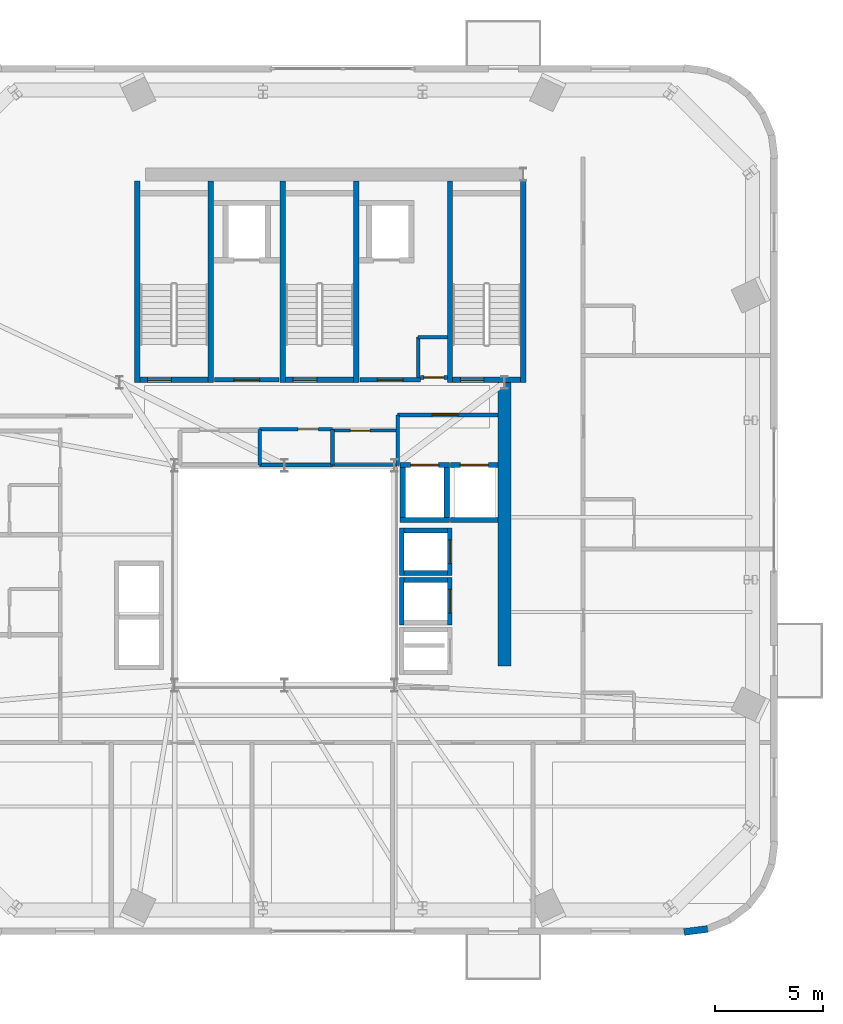
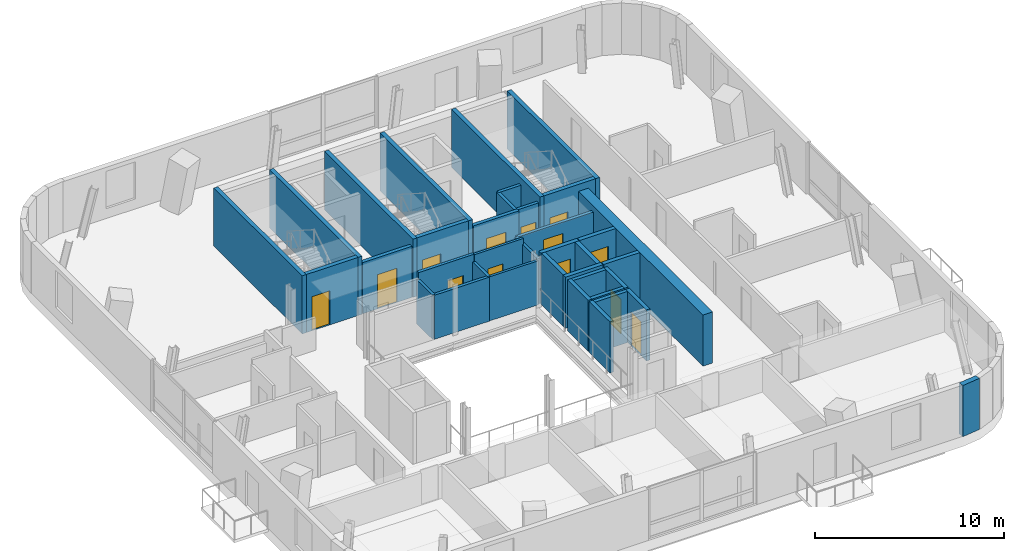
# One storey, part 8 of 13: 37 walls, 13 doors, 13 openings.
"""IFC4 building model written with IfcOpenShell, lengths in metres."""

from ifc_helpers import new_model, si_unit, direction, frame, frame_2d, origin, place, context, subcontext, project, spatial, rectangle, extrude, source, transform, mapped, material, layer, layer_set, type_object, element, fill, save


model = new_model("IFC4")

# Units and contexts
model_context = context("Model", 3, precision=1e-05, world=origin(), true_north=direction((0.0, 1.0)))
body_context = subcontext(model_context, "Body", "Model", "MODEL_VIEW")
ifc_project = project(units=[si_unit("LENGTHUNIT", "METRE"), si_unit("AREAUNIT", "SQUARE_METRE"), si_unit("VOLUMEUNIT", "CUBIC_METRE"), si_unit("PLANEANGLEUNIT", "RADIAN"), si_unit("MASSUNIT", "GRAM", prefix="KILO")], contexts=[model_context])

# Site, building, storey
site_placement = place(None, origin())
site = spatial("IfcSite", under=ifc_project, at=site_placement, CompositionType="ELEMENT")
building_placement = place(site_placement, origin())
building = spatial("IfcBuilding", under=site, at=building_placement, Name="Vardaveli Station Tower", CompositionType="ELEMENT")
storey_placement = place(building_placement, frame((0.0, 0.0, 278.25)))
storey = spatial("IfcBuildingStorey", under=building, at=storey_placement, Name="L71", CompositionType="ELEMENT", Elevation=278.25)

# Walls
ifc_material_1 = material(Name="Concrete C50/60", Category="concrete")
ifc_layer_1 = layer(ifc_material_1, 0.60009765625, Name="Concrete C50/60")
ifc_layer_set_1 = layer_set([ifc_layer_1], Name="Concrete C50/60")
wall_type_1 = type_object("IfcWallType", Name="WAL-CORE-600", PredefinedType="SHEAR", material=ifc_layer_set_1)
shared_shape_1 = source(origin(), body_context, "Body", "SweptSolid", [
    extrude(rectangle(XDim=13.14990234375, YDim=0.60009765625, at=frame_2d((6.574951171875, 0.0))), origin(), (0.0, 0.0, 1.0), 3.300048828125),
])
wall_1_placement = place(storey_placement, frame((46.5, 17.5, 0.0), z_axis=(0.0, 0.0, 1.0), x_axis=(0.0, 1.0, 0.0)))
element("IfcWall", 1, at=wall_1_placement, inside=storey, type_object=wall_type_1, Name="SW-L71-EAST2", PredefinedType="SHEAR", context=body_context, shape_type="MappedRepresentation", body=[
    mapped(shared_shape_1, transform((0.0, 0.0, 0.0), scale=1.0)),
])
ifc_material_2 = material(Name="Precast concrete C45/55", Category="concrete")
ifc_layer_2 = layer(ifc_material_2, 0.320068359375, Name="Precast concrete C45/55")
ifc_layer_set_2 = layer_set([ifc_layer_2], Name="Precast concrete C45/55")
wall_type_2 = type_object("IfcWallType", Name="WAL-EXT-STONE-320", PredefinedType="SOLIDWALL", material=ifc_layer_set_2)
shared_shape_2 = source(origin(), body_context, "Body", "SweptSolid", [
    extrude(rectangle(XDim=1.100341796875, YDim=0.320068359375, at=frame_2d((0.55029296875, 0.0))), origin(), (0.0, 0.0, 1.0), 3.300048828125),
])
wall_2_placement = place(storey_placement, frame((54.826904296875, 5.16552734375, 0.0), z_axis=(0.0, 0.0, 1.0), x_axis=(0.991799654079, 0.127802371532, 0.0)))
element("IfcWall", 2, at=wall_2_placement, inside=storey, type_object=wall_type_2, Name="EW-L71-CR2-1", PredefinedType="SOLIDWALL", context=body_context, shape_type="MappedRepresentation", body=[
    mapped(shared_shape_2, transform((0.0, 0.0, 0.0), scale=1.0)),
])
ifc_material_3 = material(Name="Concrete C40/50", Category="concrete")
ifc_layer_3 = layer(ifc_material_3, 0.25, Name="Concrete C40/50")
ifc_layer_set_3 = layer_set([ifc_layer_3], Name="Concrete C40/50")
wall_type_3 = type_object("IfcWallType", Name="WAL-SHAFT-250", PredefinedType="SOLIDWALL", material=ifc_layer_set_3)
shared_shape_3 = source(origin(), body_context, "Body", "SweptSolid", [
    extrude(rectangle(XDim=9.35009765625, YDim=0.25, at=frame_2d((4.675048828125, 0.0))), origin(), (0.0, 0.0, 1.0), 3.75),
])
for number, where, z_axis, x_axis, name in (
    (3, (29.47509765625, 30.64990234375, 0.0), (0.0, 0.0, 1.0), (0.0, 1.0, 0.0), "W-L71-ST-1W"),
    (4, (32.875, 30.64990234375, 0.0), (0.0, 0.0, 1.0), (0.0, 1.0, 0.0), "W-L71-ST-1E"),
    (5, (36.22509765625, 30.64990234375, 0.0), (0.0, 0.0, 1.0), (0.0, 1.0, 0.0), "W-L71-ST-2W"),
    (6, (39.625, 30.64990234375, 0.0), (0.0, 0.0, 1.0), (0.0, 1.0, 0.0), "W-L71-ST-2E"),
    (7, (43.97509765625, 30.64990234375, 0.0), (0.0, 0.0, 1.0), (0.0, 1.0, 0.0), "W-L71-ST-3W"),
    (8, (47.375, 30.64990234375, 0.0), (0.0, 0.0, 1.0), (0.0, 1.0, 0.0), "W-L71-ST-3E"),
):
    element("IfcWall", number, at=place(storey_placement, frame(where, z_axis=z_axis, x_axis=x_axis)), inside=storey, type_object=wall_type_3, Name=name, PredefinedType="SOLIDWALL", context=body_context, shape_type="MappedRepresentation", body=[
        mapped(shared_shape_3, transform((0.0, 0.0, 0.0), scale=1.0)),
    ])

# Wall, opening, door
shared_shape_4 = source(origin(), body_context, "Body", "SweptSolid", [
    extrude(rectangle(XDim=3.14990234375, YDim=0.25, at=frame_2d((1.574951171875, 0.0))), origin(), (0.0, 0.0, 1.0), 3.75),
])
wall_3_placement = place(storey_placement, frame((29.60009765625, 30.77490234375, 0.0), z_axis=(0.0, 0.0, 1.0), x_axis=(1.0, 0.0, 0.0)))
wall_3 = element("IfcWall", 9, at=wall_3_placement, inside=storey, type_object=wall_type_3, Name="W-L71-ST-1S", PredefinedType="SOLIDWALL", context=body_context, shape_type="MappedRepresentation", body=[
    mapped(shared_shape_4, transform((0.0, 0.0, 0.0), scale=1.0)),
])
shared_shape_5 = source(origin(), body_context, "Body", "SweptSolid", [
    extrude(rectangle(XDim=1.10009765625, YDim=2.199951171875, at=frame_2d((0.550048828125, 1.10009765625))), frame((0.0, 0.135009765625, 0.0), z_axis=(0.0, -1.0, 0.0), x_axis=(1.0, 0.0, 0.0)), (0.0, 0.0, 1.0), 0.27001953125),
])
opening_1_placement = place(wall_3_placement, frame((0.35009765625, 0.0, 0.0)))
opening_1 = element("IfcOpeningElement", 10, at=opening_1_placement, cuts=wall_3, Name="Opening D-04", PredefinedType="OPENING", context=body_context, shape_type="MappedRepresentation", body=[
    mapped(shared_shape_5, transform((0.0, 0.0, 0.0), scale=1.0)),
])
ifc_material_4 = material(Name="Steel smokeproof fire doorset", Category="steel")
door_type_1 = type_object("IfcDoorType", Name="DR-ST-1100x2200", OperationType="NOTDEFINED", PredefinedType="DOOR", material=ifc_material_4)
shared_shape_6 = source(origin(), body_context, "Body", "SweptSolid", [
    extrude(rectangle(XDim=1.10009765625, YDim=2.199951171875, at=frame_2d((0.550048828125, 1.10009765625))), frame((0.0, 0.02490234375, 0.0), z_axis=(0.0, -1.0, 0.0), x_axis=(1.0, 0.0, 0.0)), (0.0, 0.0, 1.0), 0.050048828125),
])
door_1_placement = place(opening_1_placement, origin())
door_1 = element("IfcDoor", 11, at=door_1_placement, inside=storey, type_object=door_type_1, Name="DST-1-L71", OperationType="SINGLE_SWING_LEFT", OverallHeight=2.199951171875, OverallWidth=1.10009765625, PredefinedType="DOOR", context=body_context, shape_type="MappedRepresentation", body=[
    mapped(shared_shape_6, transform((0.0, 0.0, 0.0), scale=1.0)),
])
fill(opening_1, door_1)

wall_4_placement = place(storey_placement, frame((36.35009765625, 30.77490234375, 0.0), z_axis=(0.0, 0.0, 1.0), x_axis=(1.0, 0.0, 0.0)))
wall_4 = element("IfcWall", 12, at=wall_4_placement, inside=storey, type_object=wall_type_3, Name="W-L71-ST-2S", PredefinedType="SOLIDWALL", context=body_context, shape_type="MappedRepresentation", body=[
    mapped(shared_shape_4, transform((0.0, 0.0, 0.0), scale=1.0)),
])
opening_2_placement = place(wall_4_placement, frame((0.35009765625, 0.0, 0.0)))
opening_2 = element("IfcOpeningElement", 13, at=opening_2_placement, cuts=wall_4, Name="Opening D-04", PredefinedType="OPENING", context=body_context, shape_type="MappedRepresentation", body=[
    mapped(shared_shape_5, transform((0.0, 0.0, 0.0), scale=1.0)),
])
door_2_placement = place(opening_2_placement, origin())
door_2 = element("IfcDoor", 14, at=door_2_placement, inside=storey, type_object=door_type_1, Name="DST-2-L71", OperationType="SINGLE_SWING_LEFT", OverallHeight=2.199951171875, OverallWidth=1.10009765625, PredefinedType="DOOR", context=body_context, shape_type="MappedRepresentation", body=[
    mapped(shared_shape_6, transform((0.0, 0.0, 0.0), scale=1.0)),
])
fill(opening_2, door_2)

wall_5_placement = place(storey_placement, frame((44.10009765625, 30.77490234375, 0.0), z_axis=(0.0, 0.0, 1.0), x_axis=(1.0, 0.0, 0.0)))
wall_5 = element("IfcWall", 15, at=wall_5_placement, inside=storey, type_object=wall_type_3, Name="W-L71-ST-3S", PredefinedType="SOLIDWALL", context=body_context, shape_type="MappedRepresentation", body=[
    mapped(shared_shape_4, transform((0.0, 0.0, 0.0), scale=1.0)),
])
opening_3_placement = place(wall_5_placement, frame((0.35009765625, 0.0, 0.0)))
opening_3 = element("IfcOpeningElement", 16, at=opening_3_placement, cuts=wall_5, Name="Opening D-04", PredefinedType="OPENING", context=body_context, shape_type="MappedRepresentation", body=[
    mapped(shared_shape_5, transform((0.0, 0.0, 0.0), scale=1.0)),
])
door_3_placement = place(opening_3_placement, origin())
door_3 = element("IfcDoor", 17, at=door_3_placement, inside=storey, type_object=door_type_1, Name="DST-3-L71", OperationType="SINGLE_SWING_LEFT", OverallHeight=2.199951171875, OverallWidth=1.10009765625, PredefinedType="DOOR", context=body_context, shape_type="MappedRepresentation", body=[
    mapped(shared_shape_6, transform((0.0, 0.0, 0.0), scale=1.0)),
])
fill(opening_3, door_3)

ifc_layer_4 = layer(ifc_material_3, 0.219970703125, Name="Concrete C40/50")
ifc_layer_set_4 = layer_set([ifc_layer_4], Name="Concrete C40/50")
wall_type_4 = type_object("IfcWallType", Name="WAL-FFLOBBY-220", PredefinedType="SOLIDWALL", material=ifc_layer_set_4)
shared_shape_7 = source(origin(), body_context, "Body", "SweptSolid", [
    extrude(rectangle(XDim=3.0, YDim=0.219970703125, at=frame_2d((1.5, 0.0))), origin(), (0.0, 0.0, 1.0), 3.300048828125),
])
wall_6_placement = place(storey_placement, frame((33.050048828125, 30.780029296875, 0.0), z_axis=(0.0, 0.0, 1.0), x_axis=(1.0, 0.0, 0.0)))
wall_6 = element("IfcWall", 18, at=wall_6_placement, inside=storey, type_object=wall_type_4, Name="W-L71-FFL1S", PredefinedType="SOLIDWALL", context=body_context, shape_type="MappedRepresentation", body=[
    mapped(shared_shape_7, transform((0.0, 0.0, 0.0), scale=1.0)),
])
shared_shape_8 = source(origin(), body_context, "Body", "SweptSolid", [
    extrude(rectangle(XDim=1.199951171875, YDim=2.199951171875, at=frame_2d((0.60009765625, 1.10009765625))), frame((0.0, 0.1201171875, 0.0), z_axis=(0.0, -1.0, 0.0), x_axis=(1.0, 0.0, 0.0)), (0.0, 0.0, 1.0), 0.239990234375),
])
opening_4_placement = place(wall_6_placement, frame((0.89990234375, 0.0, 0.0)))
opening_4 = element("IfcOpeningElement", 19, at=opening_4_placement, cuts=wall_6, Name="Opening D-03", PredefinedType="OPENING", context=body_context, shape_type="MappedRepresentation", body=[
    mapped(shared_shape_8, transform((0.0, 0.0, 0.0), scale=1.0)),
])
door_type_2 = type_object("IfcDoorType", Name="DR-FFL-1200x2200", OperationType="NOTDEFINED", PredefinedType="DOOR", material=ifc_material_4)
shared_shape_9 = source(origin(), body_context, "Body", "SweptSolid", [
    extrude(rectangle(XDim=1.199951171875, YDim=2.199951171875, at=frame_2d((0.60009765625, 1.10009765625))), frame((0.0, 0.02490234375, 0.0), z_axis=(0.0, -1.0, 0.0), x_axis=(1.0, 0.0, 0.0)), (0.0, 0.0, 1.0), 0.050048828125),
])
door_4_placement = place(opening_4_placement, origin())
door_4 = element("IfcDoor", 20, at=door_4_placement, inside=storey, type_object=door_type_2, Name="DFFL1-L71", OperationType="SINGLE_SWING_LEFT", OverallHeight=2.199951171875, OverallWidth=1.199951171875, PredefinedType="DOOR", context=body_context, shape_type="MappedRepresentation", body=[
    mapped(shared_shape_9, transform((0.0, 0.0, 0.0), scale=1.0)),
])
fill(opening_4, door_4)

shared_shape_10 = source(origin(), body_context, "Body", "SweptSolid", [
    extrude(rectangle(XDim=2.800048828125, YDim=0.219970703125, at=frame_2d((1.39990234375, 0.0))), origin(), (0.0, 0.0, 1.0), 3.300048828125),
])
wall_7_placement = place(storey_placement, frame((39.800048828125, 30.780029296875, 0.0), z_axis=(0.0, 0.0, 1.0), x_axis=(1.0, 0.0, 0.0)))
wall_7 = element("IfcWall", 21, at=wall_7_placement, inside=storey, type_object=wall_type_4, Name="W-L71-FFL2S", PredefinedType="SOLIDWALL", context=body_context, shape_type="MappedRepresentation", body=[
    mapped(shared_shape_10, transform((0.0, 0.0, 0.0), scale=1.0)),
])
opening_5_placement = place(wall_7_placement, frame((0.800048828125, 0.0, 0.0)))
opening_5 = element("IfcOpeningElement", 22, at=opening_5_placement, cuts=wall_7, Name="Opening D-03", PredefinedType="OPENING", context=body_context, shape_type="MappedRepresentation", body=[
    mapped(shared_shape_8, transform((0.0, 0.0, 0.0), scale=1.0)),
])
door_5_placement = place(opening_5_placement, origin())
door_5 = element("IfcDoor", 23, at=door_5_placement, inside=storey, type_object=door_type_2, Name="DFFL2-L71", OperationType="SINGLE_SWING_RIGHT", OverallHeight=2.199951171875, OverallWidth=1.199951171875, PredefinedType="DOOR", context=body_context, shape_type="MappedRepresentation", body=[
    mapped(shared_shape_9, transform((0.0, 0.0, 0.0), scale=1.0)),
])
fill(opening_5, door_5)

# Walls
shared_shape_11 = source(origin(), body_context, "Body", "SweptSolid", [
    extrude(rectangle(XDim=2.0, YDim=0.219970703125, at=frame_2d((1.0, 0.0))), origin(), (0.0, 0.0, 1.0), 3.300048828125),
])
for number, where, z_axis, x_axis, name in (
    (24, (41.85009765625, 21.81494140625, 0.0), (0.0, 0.0, 1.0), (1.0, 0.0, 0.0), "SHW-HL3-01-L71-S"),
    (25, (41.85009765625, 23.784912109375, 0.0), (0.0, 0.0, 1.0), (1.0, 0.0, 0.0), "SHW-HL3-01-L71-N"),
    (26, (41.85009765625, 21.485107421875, 0.0), (0.0, 0.0, 1.0), (1.0, 0.0, 0.0), "SHW-HL3-02-L71-N"),
):
    element("IfcWall", number, at=place(storey_placement, frame(where, z_axis=z_axis, x_axis=x_axis)), inside=storey, type_object=wall_type_4, Name=name, PredefinedType="SOLIDWALL", context=body_context, shape_type="MappedRepresentation", body=[
        mapped(shared_shape_11, transform((0.0, 0.0, 0.0), scale=1.0)),
    ])
shared_shape_12 = source(origin(), body_context, "Body", "SweptSolid", [
    extrude(rectangle(XDim=2.18994140625, YDim=0.219970703125, at=frame_2d((1.094970703125, 0.0))), origin(), (0.0, 0.0, 1.0), 3.300048828125),
])
wall_8_placement = place(storey_placement, frame((41.739990234375, 21.705078125, 0.0), z_axis=(0.0, 0.0, 1.0), x_axis=(0.0, 1.0, 0.0)))
element("IfcWall", 27, at=wall_8_placement, inside=storey, type_object=wall_type_4, Name="SHW-HL3-01-L71-W", PredefinedType="SOLIDWALL", context=body_context, shape_type="MappedRepresentation", body=[
    mapped(shared_shape_12, transform((0.0, 0.0, 0.0), scale=1.0)),
])

# Wall, opening, door
wall_9_placement = place(storey_placement, frame((43.9599609375, 21.705078125, 0.0), z_axis=(0.0, 0.0, 1.0), x_axis=(0.0, 1.0, 0.0)))
wall_9 = element("IfcWall", 28, at=wall_9_placement, inside=storey, type_object=wall_type_4, Name="SHW-HL3-01-L71-E", PredefinedType="SOLIDWALL", context=body_context, shape_type="MappedRepresentation", body=[
    mapped(shared_shape_12, transform((0.0, 0.0, 0.0), scale=1.0)),
])
shared_shape_13 = source(origin(), body_context, "Body", "SweptSolid", [
    extrude(rectangle(XDim=1.10009765625, YDim=2.199951171875, at=frame_2d((0.550048828125, 1.10009765625))), frame((0.0, 0.1201171875, 0.0), z_axis=(0.0, -1.0, 0.0), x_axis=(1.0, 0.0, 0.0)), (0.0, 0.0, 1.0), 0.239990234375),
])
opening_6_placement = place(wall_9_placement, frame((0.544921875, 0.0, 0.0)))
opening_6 = element("IfcOpeningElement", 29, at=opening_6_placement, cuts=wall_9, Name="Opening LD-01", PredefinedType="OPENING", context=body_context, shape_type="MappedRepresentation", body=[
    mapped(shared_shape_13, transform((0.0, 0.0, 0.0), scale=1.0)),
])
ifc_material_5 = material(Name="Brushed stainless steel", Category="steel")
door_type_3 = type_object("IfcDoorType", Name="DR-LD-1100x2200", OperationType="DOUBLE_DOOR_SLIDING", PredefinedType="DOOR", material=ifc_material_5)
door_6_placement = place(opening_6_placement, origin())
door_6 = element("IfcDoor", 30, at=door_6_placement, inside=storey, type_object=door_type_3, Name="LD-HL3-01-L71", OperationType="DOUBLE_DOOR_SLIDING", OverallHeight=2.199951171875, OverallWidth=1.10009765625, PredefinedType="DOOR", context=body_context, shape_type="MappedRepresentation", body=[
    mapped(shared_shape_6, transform((0.0, 0.0, 0.0), scale=1.0)),
])
fill(opening_6, door_6)

# Wall
wall_10_placement = place(storey_placement, frame((41.739990234375, 19.405029296875, 0.0), z_axis=(0.0, 0.0, 1.0), x_axis=(0.0, 1.0, 0.0)))
element("IfcWall", 31, at=wall_10_placement, inside=storey, type_object=wall_type_4, Name="SHW-HL3-02-L71-W", PredefinedType="SOLIDWALL", context=body_context, shape_type="MappedRepresentation", body=[
    mapped(shared_shape_12, transform((0.0, 0.0, 0.0), scale=1.0)),
])

# Wall, opening, door
wall_11_placement = place(storey_placement, frame((43.9599609375, 19.405029296875, 0.0), z_axis=(0.0, 0.0, 1.0), x_axis=(0.0, 1.0, 0.0)))
wall_11 = element("IfcWall", 32, at=wall_11_placement, inside=storey, type_object=wall_type_4, Name="SHW-HL3-02-L71-E", PredefinedType="SOLIDWALL", context=body_context, shape_type="MappedRepresentation", body=[
    mapped(shared_shape_12, transform((0.0, 0.0, 0.0), scale=1.0)),
])
opening_7_placement = place(wall_11_placement, frame((0.544921875, 0.0, 0.0)))
opening_7 = element("IfcOpeningElement", 33, at=opening_7_placement, cuts=wall_11, Name="Opening LD-01", PredefinedType="OPENING", context=body_context, shape_type="MappedRepresentation", body=[
    mapped(shared_shape_13, transform((0.0, 0.0, 0.0), scale=1.0)),
])
door_7_placement = place(opening_7_placement, origin())
door_7 = element("IfcDoor", 34, at=door_7_placement, inside=storey, type_object=door_type_3, Name="LD-HL3-02-L71", OperationType="DOUBLE_DOOR_SLIDING", OverallHeight=2.199951171875, OverallWidth=1.10009765625, PredefinedType="DOOR", context=body_context, shape_type="MappedRepresentation", body=[
    mapped(shared_shape_6, transform((0.0, 0.0, 0.0), scale=1.0)),
])
fill(opening_7, door_7)

# Wall
shared_shape_14 = source(origin(), body_context, "Body", "SweptSolid", [
    extrude(rectangle(XDim=2.300048828125, YDim=0.25, at=frame_2d((1.14990234375, 0.0))), origin(), (0.0, 0.0, 1.0), 3.300048828125),
])
wall_12_placement = place(storey_placement, frame((41.64990234375, 24.27490234375, 0.0), z_axis=(0.0, 0.0, 1.0), x_axis=(1.0, 0.0, 0.0)))
element("IfcWall", 35, at=wall_12_placement, inside=storey, type_object=wall_type_3, Name="SHW-SRV-01-L71-S", PredefinedType="SOLIDWALL", context=body_context, shape_type="MappedRepresentation", body=[
    mapped(shared_shape_14, transform((0.0, 0.0, 0.0), scale=1.0)),
])

# Wall, opening, door
wall_13_placement = place(storey_placement, frame((41.64990234375, 26.824951171875, 0.0), z_axis=(0.0, 0.0, 1.0), x_axis=(1.0, 0.0, 0.0)))
wall_13 = element("IfcWall", 36, at=wall_13_placement, inside=storey, type_object=wall_type_3, Name="SHW-SRV-01-L71-N", PredefinedType="SOLIDWALL", context=body_context, shape_type="MappedRepresentation", body=[
    mapped(shared_shape_14, transform((0.0, 0.0, 0.0), scale=1.0)),
])
shared_shape_15 = source(origin(), body_context, "Body", "SweptSolid", [
    extrude(rectangle(XDim=1.300048828125, YDim=2.300048828125, at=frame_2d((0.64990234375, 1.14990234375))), frame((0.0, 0.135009765625, 0.0), z_axis=(0.0, -1.0, 0.0), x_axis=(1.0, 0.0, 0.0)), (0.0, 0.0, 1.0), 0.27001953125),
])
opening_8_placement = place(wall_13_placement, frame((0.5, 0.0, 0.0)))
opening_8 = element("IfcOpeningElement", 37, at=opening_8_placement, cuts=wall_13, Name="Opening LD-03", PredefinedType="OPENING", context=body_context, shape_type="MappedRepresentation", body=[
    mapped(shared_shape_15, transform((0.0, 0.0, 0.0), scale=1.0)),
])
door_type_4 = type_object("IfcDoorType", Name="DR-LD-1300x2300", OperationType="DOUBLE_DOOR_SLIDING", PredefinedType="DOOR", material=ifc_material_5)
shared_shape_16 = source(origin(), body_context, "Body", "SweptSolid", [
    extrude(rectangle(XDim=1.300048828125, YDim=2.300048828125, at=frame_2d((0.64990234375, 1.14990234375))), frame((0.0, 0.02490234375, 0.0), z_axis=(0.0, -1.0, 0.0), x_axis=(1.0, 0.0, 0.0)), (0.0, 0.0, 1.0), 0.050048828125),
])
door_8_placement = place(opening_8_placement, origin())
door_8 = element("IfcDoor", 38, at=door_8_placement, inside=storey, type_object=door_type_4, Name="LD-SRV-01-L71", OperationType="DOUBLE_DOOR_SLIDING", OverallHeight=2.300048828125, OverallWidth=1.300048828125, PredefinedType="DOOR", context=body_context, shape_type="MappedRepresentation", body=[
    mapped(shared_shape_16, transform((0.0, 0.0, 0.0), scale=1.0)),
])
fill(opening_8, door_8)

# Walls
for number, where, z_axis, x_axis, name in (
    (39, (41.77490234375, 24.39990234375, 0.0), (0.0, 0.0, 1.0), (0.0, 1.0, 0.0), "SHW-SRV-01-L71-W"),
    (40, (43.824951171875, 24.39990234375, 0.0), (0.0, 0.0, 1.0), (0.0, 1.0, 0.0), "SHW-SRV-01-L71-E"),
):
    element("IfcWall", number, at=place(storey_placement, frame(where, z_axis=z_axis, x_axis=x_axis)), inside=storey, type_object=wall_type_3, Name=name, PredefinedType="SOLIDWALL", context=body_context, shape_type="MappedRepresentation", body=[
        mapped(shared_shape_14, transform((0.0, 0.0, 0.0), scale=1.0)),
    ])
shared_shape_17 = source(origin(), body_context, "Body", "SweptSolid", [
    extrude(rectangle(XDim=2.199951171875, YDim=0.25, at=frame_2d((1.10009765625, 0.0))), origin(), (0.0, 0.0, 1.0), 3.300048828125),
])
wall_14_placement = place(storey_placement, frame((44.0, 24.27490234375, 0.0), z_axis=(0.0, 0.0, 1.0), x_axis=(1.0, 0.0, 0.0)))
element("IfcWall", 41, at=wall_14_placement, inside=storey, type_object=wall_type_3, Name="SHW-SRV-02-L71-S", PredefinedType="SOLIDWALL", context=body_context, shape_type="MappedRepresentation", body=[
    mapped(shared_shape_17, transform((0.0, 0.0, 0.0), scale=1.0)),
])

# Wall, opening, door
wall_15_placement = place(storey_placement, frame((44.0, 26.824951171875, 0.0), z_axis=(0.0, 0.0, 1.0), x_axis=(1.0, 0.0, 0.0)))
wall_15 = element("IfcWall", 42, at=wall_15_placement, inside=storey, type_object=wall_type_3, Name="SHW-SRV-02-L71-N", PredefinedType="SOLIDWALL", context=body_context, shape_type="MappedRepresentation", body=[
    mapped(shared_shape_17, transform((0.0, 0.0, 0.0), scale=1.0)),
])
opening_9_placement = place(wall_15_placement, frame((0.449951171875, 0.0, 0.0)))
opening_9 = element("IfcOpeningElement", 43, at=opening_9_placement, cuts=wall_15, Name="Opening LD-03", PredefinedType="OPENING", context=body_context, shape_type="MappedRepresentation", body=[
    mapped(shared_shape_15, transform((0.0, 0.0, 0.0), scale=1.0)),
])
door_9_placement = place(opening_9_placement, origin())
door_9 = element("IfcDoor", 44, at=door_9_placement, inside=storey, type_object=door_type_4, Name="LD-SRV-02-L71", OperationType="DOUBLE_DOOR_SLIDING", OverallHeight=2.300048828125, OverallWidth=1.300048828125, PredefinedType="DOOR", context=body_context, shape_type="MappedRepresentation", body=[
    mapped(shared_shape_16, transform((0.0, 0.0, 0.0), scale=1.0)),
])
fill(opening_9, door_9)

ifc_material_6 = material(Name="Fire-rated gypsum stud partition")
ifc_layer_5 = layer(ifc_material_6, 0.179931640625, Name="Fire-rated gypsum stud partition")
ifc_layer_set_5 = layer_set([ifc_layer_5], Name="Fire-rated gypsum stud partition")
wall_type_5 = type_object("IfcWallType", Name="WAL-CORR-180", PredefinedType="PARTITIONING", material=ifc_layer_set_5)
shared_shape_18 = source(origin(), body_context, "Body", "SweptSolid", [
    extrude(rectangle(XDim=4.64794921875, YDim=0.179931640625, at=frame_2d((2.323974609375, 0.0))), origin(), (0.0, 0.0, 1.0), 2.931884765625),
])
wall_16_placement = place(storey_placement, frame((41.550048828125, 29.14990234375, 0.0), z_axis=(0.0, 0.0, 1.0), x_axis=(1.0, 0.0, 0.0)))
wall_16 = element("IfcWall", 45, at=wall_16_placement, inside=storey, type_object=wall_type_5, Name="W-L71-SVFN", PredefinedType="PARTITIONING", context=body_context, shape_type="MappedRepresentation", body=[
    mapped(shared_shape_18, transform((0.0, 0.0, 0.0), scale=1.0)),
])
shared_shape_19 = source(origin(), body_context, "Body", "SweptSolid", [
    extrude(rectangle(XDim=1.199951171875, YDim=2.199951171875, at=frame_2d((0.60009765625, 1.10009765625))), frame((0.0, 0.10009765625, 0.0), z_axis=(0.0, -1.0, 0.0), x_axis=(1.0, 0.0, 0.0)), (0.0, 0.0, 1.0), 0.199951171875),
])
opening_10_placement = place(wall_16_placement, frame((1.60009765625, 0.0, 0.0)))
opening_10 = element("IfcOpeningElement", 46, at=opening_10_placement, cuts=wall_16, Name="Opening D-03", PredefinedType="OPENING", context=body_context, shape_type="MappedRepresentation", body=[
    mapped(shared_shape_19, transform((0.0, 0.0, 0.0), scale=1.0)),
])
door_10_placement = place(opening_10_placement, origin())
door_10 = element("IfcDoor", 47, at=door_10_placement, inside=storey, type_object=door_type_2, Name="D-L71-SVF", OperationType="SINGLE_SWING_LEFT", OverallHeight=2.199951171875, OverallWidth=1.199951171875, PredefinedType="DOOR", context=body_context, shape_type="MappedRepresentation", body=[
    mapped(shared_shape_9, transform((0.0, 0.0, 0.0), scale=1.0)),
])
fill(opening_10, door_10)

# Walls
shared_shape_20 = source(origin(), body_context, "Body", "SweptSolid", [
    extrude(rectangle(XDim=2.349853515625, YDim=0.179931640625, at=frame_2d((1.1748046875, 0.0))), origin(), (0.0, 0.0, 1.0), 2.931884765625),
])
wall_17_placement = place(storey_placement, frame((41.550048828125, 26.800048828125, 0.0), z_axis=(0.0, 0.0, 1.0), x_axis=(0.0, 1.0, 0.0)))
element("IfcWall", 48, at=wall_17_placement, inside=storey, type_object=wall_type_5, Name="W-L71-SVFW", PredefinedType="PARTITIONING", context=body_context, shape_type="MappedRepresentation", body=[
    mapped(shared_shape_20, transform((0.0, 0.0, 0.0), scale=1.0)),
])
shared_shape_21 = source(origin(), body_context, "Body", "SweptSolid", [
    extrude(rectangle(XDim=1.85791015625, YDim=0.179931640625, at=frame_2d((0.928955078125, 0.0))), origin(), (0.0, 0.0, 1.0), 3.300048828125),
])
wall_18_placement = place(storey_placement, frame((42.5, 30.89208984375, 0.0), z_axis=(0.0, 0.0, 1.0), x_axis=(0.0, 1.0, 0.0)))
element("IfcWall", 49, at=wall_18_placement, inside=storey, type_object=wall_type_5, Name="W-L71-CBS2A-W", PredefinedType="PARTITIONING", context=body_context, shape_type="MappedRepresentation", body=[
    mapped(shared_shape_21, transform((0.0, 0.0, 0.0), scale=1.0)),
])

# Wall, opening, door
shared_shape_22 = source(origin(), body_context, "Body", "SweptSolid", [
    extrude(rectangle(XDim=3.3701171875, YDim=0.179931640625, at=frame_2d((1.68505859375, 0.0))), origin(), (0.0, 0.0, 1.0), 3.300048828125),
])
wall_19_placement = place(storey_placement, frame((35.14990234375, 28.47998046875, 0.0), z_axis=(0.0, 0.0, 1.0), x_axis=(1.0, 0.0, 0.0)))
wall_19 = element("IfcWall", 50, at=wall_19_placement, inside=storey, type_object=wall_type_5, Name="W-L71-HKP2-N", PredefinedType="PARTITIONING", context=body_context, shape_type="MappedRepresentation", body=[
    mapped(shared_shape_22, transform((0.0, 0.0, 0.0), scale=1.0)),
])
shared_shape_23 = source(origin(), body_context, "Body", "SweptSolid", [
    extrude(rectangle(XDim=0.949951171875, YDim=2.14990234375, at=frame_2d((0.47509765625, 1.074951171875))), frame((0.0, 0.10009765625, 0.0), z_axis=(0.0, -1.0, 0.0), x_axis=(1.0, 0.0, 0.0)), (0.0, 0.0, 1.0), 0.199951171875),
])
opening_11_placement = place(wall_19_placement, frame((1.77490234375, 0.0, 0.0)))
opening_11 = element("IfcOpeningElement", 51, at=opening_11_placement, cuts=wall_19, Name="Opening D-06", PredefinedType="OPENING", context=body_context, shape_type="MappedRepresentation", body=[
    mapped(shared_shape_23, transform((0.0, 0.0, 0.0), scale=1.0)),
])
ifc_material_7 = material(Name="Oak veneer acoustic fire door")
door_type_5 = type_object("IfcDoorType", Name="DR-GUEST-950x2150", OperationType="NOTDEFINED", PredefinedType="DOOR", material=ifc_material_7)
shared_shape_24 = source(origin(), body_context, "Body", "SweptSolid", [
    extrude(rectangle(XDim=0.949951171875, YDim=2.14990234375, at=frame_2d((0.47509765625, 1.074951171875))), frame((0.0, 0.02490234375, 0.0), z_axis=(0.0, -1.0, 0.0), x_axis=(1.0, 0.0, 0.0)), (0.0, 0.0, 1.0), 0.050048828125),
])
door_11_placement = place(opening_11_placement, origin())
door_11 = element("IfcDoor", 52, at=door_11_placement, inside=storey, type_object=door_type_5, Name="D-L71-HKP", OperationType="SINGLE_SWING_LEFT", OverallHeight=2.14990234375, OverallWidth=0.949951171875, PredefinedType="DOOR", context=body_context, shape_type="MappedRepresentation", body=[
    mapped(shared_shape_24, transform((0.0, 0.0, 0.0), scale=1.0)),
])
fill(opening_11, door_11)

ifc_material_8 = material(Name="Moisture-resistant stud partition")
ifc_layer_6 = layer(ifc_material_8, 0.14990234375, Name="Moisture-resistant stud partition")
ifc_layer_set_6 = layer_set([ifc_layer_6], Name="Moisture-resistant stud partition")
wall_type_6 = type_object("IfcWallType", Name="WAL-WET-150", PredefinedType="PARTITIONING", material=ifc_layer_set_6)
shared_shape_25 = source(origin(), body_context, "Body", "SweptSolid", [
    extrude(rectangle(XDim=3.0, YDim=0.14990234375, at=frame_2d((1.5, 0.0))), origin(), (0.0, 0.0, 1.0), 3.300048828125),
])
wall_20_placement = place(storey_placement, frame((38.52001953125, 28.419921875, 0.0), z_axis=(0.0, 0.0, 1.0), x_axis=(1.0, 0.0, 0.0)))
wall_20 = element("IfcWall", 53, at=wall_20_placement, inside=storey, type_object=wall_type_6, Name="W-L71-WCA2-N", PredefinedType="PARTITIONING", context=body_context, shape_type="MappedRepresentation", body=[
    mapped(shared_shape_25, transform((0.0, 0.0, 0.0), scale=1.0)),
])
shared_shape_26 = source(origin(), body_context, "Body", "SweptSolid", [
    extrude(rectangle(XDim=0.919921875, YDim=2.10009765625, at=frame_2d((0.4599609375, 1.050048828125))), frame((0.0, 0.0849609375, 0.0), z_axis=(0.0, -1.0, 0.0), x_axis=(1.0, 0.0, 0.0)), (0.0, 0.0, 1.0), 0.169921875),
])
opening_12_placement = place(wall_20_placement, frame((0.830078125, 0.0, 0.0)))
opening_12 = element("IfcOpeningElement", 54, at=opening_12_placement, cuts=wall_20, Name="Opening D-07", PredefinedType="OPENING", context=body_context, shape_type="MappedRepresentation", body=[
    mapped(shared_shape_26, transform((0.0, 0.0, 0.0), scale=1.0)),
])
ifc_material_9 = material(Name="Moisture-resistant hardwood door", Category="wood")
door_type_6 = type_object("IfcDoorType", Name="DR-WC-920x2100", OperationType="NOTDEFINED", PredefinedType="DOOR", material=ifc_material_9)
shared_shape_27 = source(origin(), body_context, "Body", "SweptSolid", [
    extrude(rectangle(XDim=0.919921875, YDim=2.10009765625, at=frame_2d((0.4599609375, 1.050048828125))), frame((0.0, 0.02490234375, 0.0), z_axis=(0.0, -1.0, 0.0), x_axis=(1.0, 0.0, 0.0)), (0.0, 0.0, 1.0), 0.050048828125),
])
door_12_placement = place(opening_12_placement, origin())
door_12 = element("IfcDoor", 55, at=door_12_placement, inside=storey, type_object=door_type_6, Name="D-L71-WCA", OperationType="SINGLE_SWING_LEFT", OverallHeight=2.10009765625, OverallWidth=0.919921875, PredefinedType="DOOR", context=body_context, shape_type="MappedRepresentation", body=[
    mapped(shared_shape_27, transform((0.0, 0.0, 0.0), scale=1.0)),
])
fill(opening_12, door_12)

shared_shape_28 = source(origin(), body_context, "Body", "SweptSolid", [
    extrude(rectangle(XDim=1.247802734375, YDim=0.179931640625, at=frame_2d((0.6240234375, 0.0))), origin(), (0.0, 0.0, 1.0), 3.300048828125),
])
wall_21_placement = place(storey_placement, frame((42.60009765625, 30.8798828125, 0.0), z_axis=(0.0, 0.0, 1.0), x_axis=(1.0, 0.0, 0.0)))
wall_21 = element("IfcWall", 56, at=wall_21_placement, inside=storey, type_object=wall_type_5, Name="W-L71-CBS2A-S", PredefinedType="PARTITIONING", context=body_context, shape_type="MappedRepresentation", body=[
    mapped(shared_shape_28, transform((0.0, 0.0, 0.0), scale=1.0)),
])
shared_shape_29 = source(origin(), body_context, "Body", "SweptSolid", [
    extrude(rectangle(XDim=0.919921875, YDim=2.10009765625, at=frame_2d((0.4599609375, 1.050048828125))), frame((0.0, 0.10009765625, 0.0), z_axis=(0.0, -1.0, 0.0), x_axis=(1.0, 0.0, 0.0)), (0.0, 0.0, 1.0), 0.199951171875),
])
opening_13_placement = place(wall_21_placement, frame((0.1640625, 0.0, 0.0)))
opening_13 = element("IfcOpeningElement", 57, at=opening_13_placement, cuts=wall_21, Name="Opening D-07", PredefinedType="OPENING", context=body_context, shape_type="MappedRepresentation", body=[
    mapped(shared_shape_29, transform((0.0, 0.0, 0.0), scale=1.0)),
])
door_13_placement = place(opening_13_placement, origin())
door_13 = element("IfcDoor", 58, at=door_13_placement, inside=storey, type_object=door_type_6, Name="D-L71-CBS1", OperationType="SINGLE_SWING_LEFT", OverallHeight=2.10009765625, OverallWidth=0.919921875, PredefinedType="DOOR", context=body_context, shape_type="MappedRepresentation", body=[
    mapped(shared_shape_27, transform((0.0, 0.0, 0.0), scale=1.0)),
])
fill(opening_13, door_13)

# Walls
shared_shape_30 = source(origin(), body_context, "Body", "SweptSolid", [
    extrude(rectangle(XDim=3.3701171875, YDim=0.179931640625, at=frame_2d((1.68505859375, 0.0))), origin(), (0.0, 0.0, 1.0), 2.842041015625),
])
wall_22_placement = place(storey_placement, frame((35.14990234375, 26.820068359375, 0.0), z_axis=(0.0, 0.0, 1.0), x_axis=(1.0, 0.0, 0.0)))
element("IfcWall", 59, at=wall_22_placement, inside=storey, type_object=wall_type_5, Name="W-L71-HKP2-S", PredefinedType="PARTITIONING", context=body_context, shape_type="MappedRepresentation", body=[
    mapped(shared_shape_30, transform((0.0, 0.0, 0.0), scale=1.0)),
])
shared_shape_31 = source(origin(), body_context, "Body", "SweptSolid", [
    extrude(rectangle(XDim=3.0, YDim=0.14990234375, at=frame_2d((1.5, 0.0))), origin(), (0.0, 0.0, 1.0), 2.842041015625),
])
wall_23_placement = place(storey_placement, frame((38.52001953125, 26.820068359375, 0.0), z_axis=(0.0, 0.0, 1.0), x_axis=(1.0, 0.0, 0.0)))
element("IfcWall", 60, at=wall_23_placement, inside=storey, type_object=wall_type_6, Name="W-L71-WCA2-S", PredefinedType="PARTITIONING", context=body_context, shape_type="MappedRepresentation", body=[
    mapped(shared_shape_31, transform((0.0, 0.0, 0.0), scale=1.0)),
])
shared_shape_32 = source(origin(), body_context, "Body", "SweptSolid", [
    extrude(rectangle(XDim=1.659912109375, YDim=0.179931640625, at=frame_2d((0.830078125, 0.0))), origin(), (0.0, 0.0, 1.0), 2.842041015625),
])
for number, where, z_axis, x_axis, name in (
    (61, (35.14990234375, 26.820068359375, 0.0), (0.0, 0.0, 1.0), (0.0, 1.0, 0.0), "W-L71-HKP2-W"),
    (62, (38.52001953125, 26.820068359375, 0.0), (0.0, 0.0, 1.0), (0.0, 1.0, 0.0), "W-L71-HKP2-E"),
):
    element("IfcWall", number, at=place(storey_placement, frame(where, z_axis=z_axis, x_axis=x_axis)), inside=storey, type_object=wall_type_5, Name=name, PredefinedType="PARTITIONING", context=body_context, shape_type="MappedRepresentation", body=[
        mapped(shared_shape_32, transform((0.0, 0.0, 0.0), scale=1.0)),
    ])
shared_shape_33 = source(origin(), body_context, "Body", "SweptSolid", [
    extrude(rectangle(XDim=1.347900390625, YDim=0.179931640625, at=frame_2d((0.673828125, 0.0))), origin(), (0.0, 0.0, 1.0), 3.300048828125),
])
wall_24_placement = place(storey_placement, frame((42.5, 32.75, 0.0), z_axis=(0.0, 0.0, 1.0), x_axis=(1.0, 0.0, 0.0)))
element("IfcWall", 63, at=wall_24_placement, inside=storey, type_object=wall_type_5, Name="W-L71-CBS2A-N", PredefinedType="PARTITIONING", context=body_context, shape_type="MappedRepresentation", body=[
    mapped(shared_shape_33, transform((0.0, 0.0, 0.0), scale=1.0)),
])

save(model, "model.ifc")
